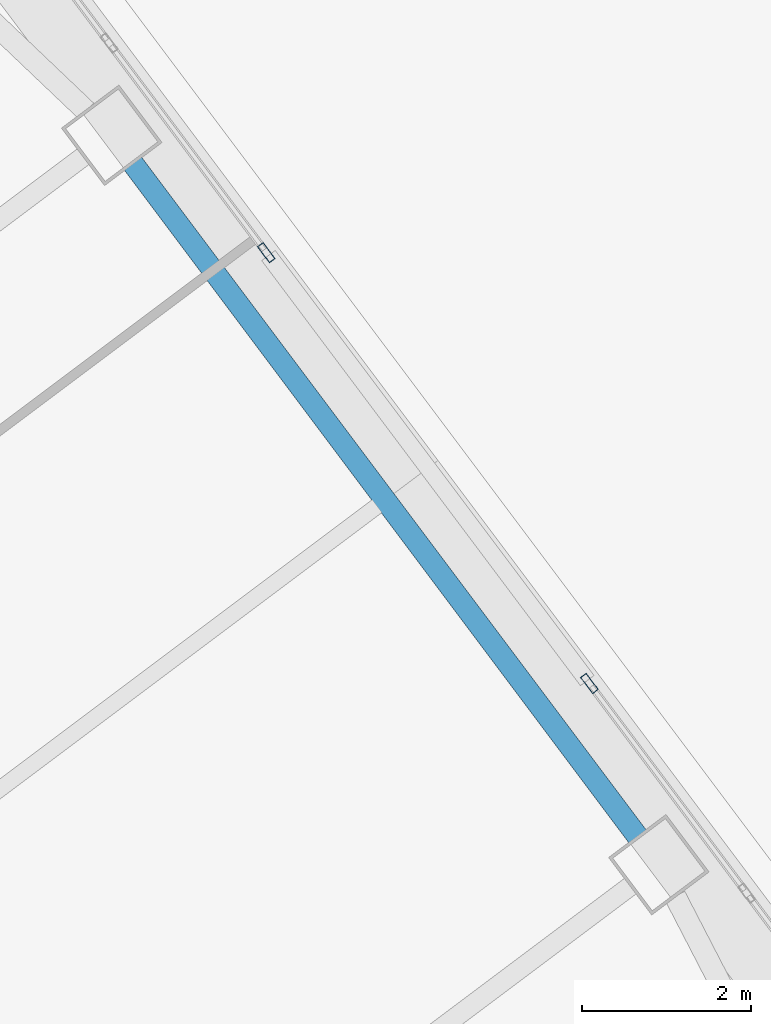
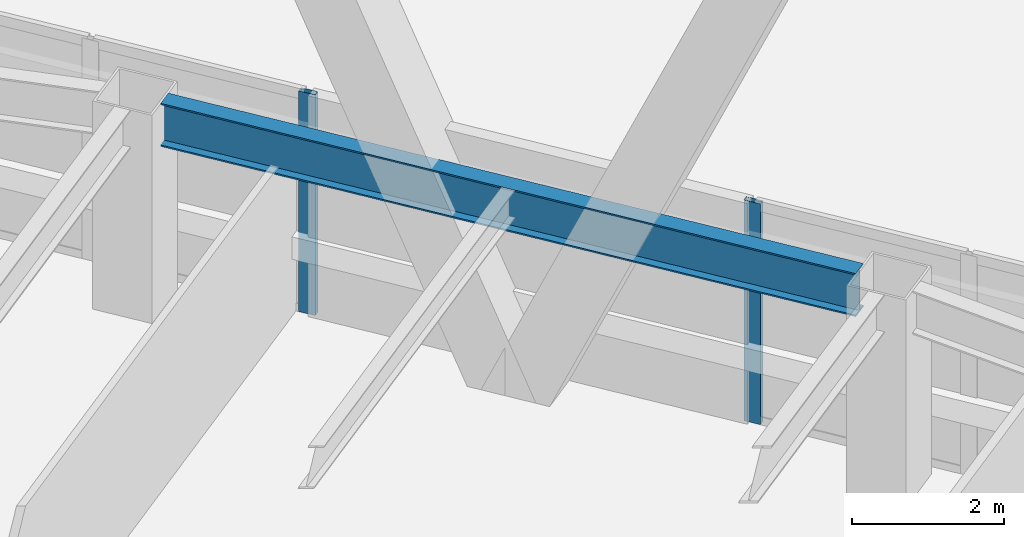
# One storey, part 65 of 83: 2 members, 1 beam, 2 elements without a shape of their own.
"""IFC4 building model written with IfcOpenShell, lengths in metres."""

import ifcopenshell
import ifcopenshell.guid

model = None  # the IFC model being written
_history = None  # IfcOwnerHistory: only IFC2X3 demands one
_inside = {}  # id of a spatial element -> (the spatial element, [elements in it])
_under = {}  # id of a project, library or spatial element -> (it, [spatial elements below it])
_declared = {}  # id of a project -> (the project, [libraries it declares])
_typed = {}  # id of a type object -> (the type object, [elements of that type])
_made_of = {}  # id of a material, layer set ... -> (it, [elements and type objects made of it])


def new_model(schema):
    """Start an empty IFC model of exactly this schema.

    Asked for "IFC4X3", IfcOpenShell would pick the latest addendum, in which some entities
    have other attributes; the version numbers below select the first issue.
    IFC2X3 requires an IfcOwnerHistory on every rooted entity: one is made here for all.
    """
    global model, _history
    if schema == "IFC4X3":
        model = ifcopenshell.file(schema_version=(4, 3, 0, 0))
    else:
        model = ifcopenshell.file(schema=schema)
    _inside.clear()
    _under.clear()
    _declared.clear()
    _typed.clear()
    _made_of.clear()
    _history = None
    if model.schema == "IFC2X3":
        org = make("IfcOrganization", Name="unknown")
        user = make(
            "IfcPersonAndOrganization",
            ThePerson=make("IfcPerson", FamilyName="unknown"),
            TheOrganization=org,
        )
        app = make(
            "IfcApplication",
            ApplicationDeveloper=org,
            Version="unknown",
            ApplicationFullName="unknown",
            ApplicationIdentifier="unknown",
        )
        _history = make(
            "IfcOwnerHistory",
            OwningUser=user,
            OwningApplication=app,
            ChangeAction="ADDED",
            CreationDate=0,
        )
    return model


def make(cls, **values):
    """One entity of the class cls with the attributes given. An attribute that is None is left unset."""
    return model.create_entity(
        cls, **{name: value for name, value in values.items() if value is not None}
    )


def rooted(cls, **values):
    """An entity with a GlobalId (a new one), such as an element, a storey or a relation."""
    return make(cls, GlobalId=ifcopenshell.guid.new(), OwnerHistory=_history, **values)


def si_unit(unit_type, name, prefix=None):
    """IfcSIUnit, for example si_unit("LENGTHUNIT", "METRE", prefix="MILLI")."""
    return make("IfcSIUnit", UnitType=unit_type, Prefix=prefix, Name=name)


def assignment(units):
    """IfcUnitAssignment: the units of a project."""
    return None if units is None else make("IfcUnitAssignment", Units=units)


def point(xyz):
    """IfcCartesianPoint."""
    return None if xyz is None else make("IfcCartesianPoint", Coordinates=xyz)


def direction(xyz):
    """IfcDirection."""
    return None if xyz is None else make("IfcDirection", DirectionRatios=xyz)


def frame(location, z_axis=None, x_axis=None):
    """IfcAxis2Placement3D, a coordinate frame: its origin and axes. An axis left out is left unset."""
    return make(
        "IfcAxis2Placement3D",
        Location=point(location),
        Axis=direction(z_axis),
        RefDirection=direction(x_axis),
    )


def frame_2d(location, x_axis=None):
    """IfcAxis2Placement2D, a coordinate frame in the plane: its origin and x axis."""
    return make(
        "IfcAxis2Placement2D", Location=point(location), RefDirection=direction(x_axis)
    )


def origin():
    """The frame at (0, 0, 0) with its axes left unset."""
    return frame((0.0, 0.0, 0.0))


def origin_2d():
    """The frame at (0, 0) in the plane with its x axis left unset."""
    return frame_2d((0.0, 0.0))


def place(relative_to, where):
    """IfcLocalPlacement: puts the frame where relative to a parent placement (None: the world)."""
    return make(
        "IfcLocalPlacement", PlacementRelTo=relative_to, RelativePlacement=where
    )


def context(
    kind, dimensions, precision=None, world=None, true_north=None, identifier=None
):
    """IfcGeometricRepresentationContext, for example the 3D "Model" context."""
    return make(
        "IfcGeometricRepresentationContext",
        ContextIdentifier=identifier,
        ContextType=kind,
        CoordinateSpaceDimension=dimensions,
        Precision=precision,
        WorldCoordinateSystem=world,
        TrueNorth=true_north,
    )


def subcontext(parent, identifier, kind, view, scale=None):
    """IfcGeometricRepresentationSubContext, for example "Body" below "Model"."""
    return make(
        "IfcGeometricRepresentationSubContext",
        ContextIdentifier=identifier,
        ContextType=kind,
        ParentContext=parent,
        TargetScale=scale,
        TargetView=view,
    )


def project(units=None, contexts=None):
    """IfcProject with its units and contexts."""
    return rooted(
        "IfcProject",
        Name="project",
        RepresentationContexts=contexts,
        UnitsInContext=assignment(units),
    )


def spatial(cls, under=None, at=None, **own):
    """A site, building, storey or space (cls), placed at a placement, below another one or the project."""
    s = rooted(cls, ObjectPlacement=at, **own)
    if under is not None:
        _under.setdefault(under.id(), (under, []))[1].append(s)
    return s


def profile(cls, at=None, kind="AREA", **sizes):
    """A parametric profile (cls). Its sizes go by their IFC names, for example OverallWidth=200.0."""
    return make(cls, ProfileType=kind, Position=at, **sizes)


def hollow_rectangle(**sizes):
    """IfcRectangleHollowProfileDef."""
    return profile("IfcRectangleHollowProfileDef", **sizes)


def i_section(**sizes):
    """IfcIShapeProfileDef."""
    return profile("IfcIShapeProfileDef", **sizes)


def extrude(swept, where, along, depth):
    """IfcExtrudedAreaSolid: the profile swept, set in the frame where, extruded along a direction by depth."""
    return make(
        "IfcExtrudedAreaSolid",
        SweptArea=swept,
        Position=where,
        ExtrudedDirection=direction(along),
        Depth=depth,
    )


def shape(context_of_items, identifier, shape_type, items):
    """IfcShapeRepresentation: the items that make up one representation, for example the "Body"."""
    return make(
        "IfcShapeRepresentation",
        ContextOfItems=context_of_items,
        RepresentationIdentifier=identifier,
        RepresentationType=shape_type,
        Items=items,
    )


def material(Name=None, Category=None):
    """IfcMaterial."""
    return make("IfcMaterial", Name=Name, Category=Category)


def material_profile(
    of_material, cross_section, Name=None, Category=None, Priority=None
):
    """IfcMaterialProfile: a cross section and its material."""
    return make(
        "IfcMaterialProfile",
        Name=Name,
        Material=of_material,
        Profile=cross_section,
        Priority=Priority,
        Category=Category,
    )


def profile_set(profiles, Name=None, composite=None):
    """IfcMaterialProfileSet."""
    return make(
        "IfcMaterialProfileSet",
        Name=Name,
        MaterialProfiles=profiles,
        CompositeProfile=composite,
    )


def made_of(thing, what):
    """Note that an element or type object is made of a material, layer set ...; save() writes the relation."""
    if what is not None:
        _made_of.setdefault(what.id(), (what, []))[1].append(thing)
    return thing


def type_object(cls, material=None, **own):
    """A type object (cls), such as IfcWallType, which elements share."""
    return made_of(rooted(cls, **own), material)


def element(
    cls,
    number,
    at=None,
    inside=None,
    cuts=None,
    type_object=None,
    material=None,
    context=None,
    identifier="Body",
    shape_type=None,
    held_by="IfcProductDefinitionShape",
    body=None,
    shapes=None,
    **own,
):
    """One element of the class cls, such as IfcWall. Its Tag is "e" and its number.

    at: its placement. inside: the storey or other place that contains it. cuts: it is an
    opening in that element (IfcRelVoidsElement). A single representation is given by context,
    identifier, shape_type and body (its items); several are given by shapes. held_by: the class
    of the entity that holds the representations. save() writes the other relations.
    """
    e = rooted(cls, Tag="e%d" % number, ObjectPlacement=at, **own)
    if body is not None:
        shapes = [shape(context, identifier, shape_type, body)]
    if shapes is not None:
        e.Representation = make(held_by, Representations=shapes)
    if inside is not None:
        _inside.setdefault(inside.id(), (inside, []))[1].append(e)
    if cuts is not None:
        rooted(
            "IfcRelVoidsElement", RelatingBuildingElement=cuts, RelatedOpeningElement=e
        )
    if type_object is not None:
        _typed.setdefault(type_object.id(), (type_object, []))[1].append(e)
    return made_of(e, material)


def aggregate(whole, parts):
    """IfcRelAggregates: a whole, such as a stair, and the parts it consists of."""
    return rooted("IfcRelAggregates", RelatingObject=whole, RelatedObjects=parts)


def save(model, path):
    """Write the relations noted so far, then the file.

    IfcRelAggregates (storeys below a building ...), IfcRelContainedInSpatialStructure (elements
    in a storey), IfcRelDefinesByType, IfcRelAssociatesMaterial and IfcRelDeclares: one each for
    every whole, place, type object, material and project.
    """
    for whole, parts in _under.values():
        aggregate(whole, parts)
    for where, things in _inside.values():
        rooted(
            "IfcRelContainedInSpatialStructure",
            RelatedElements=things,
            RelatingStructure=where,
        )
    for kind, things in _typed.values():
        rooted("IfcRelDefinesByType", RelatedObjects=things, RelatingType=kind)
    for what, things in _made_of.values():
        rooted("IfcRelAssociatesMaterial", RelatedObjects=things, RelatingMaterial=what)
    for by, libraries in _declared.values():
        rooted("IfcRelDeclares", RelatingContext=by, RelatedDefinitions=libraries)
    model.write(path)


model = new_model("IFC4")

# Units and contexts
model_context = context("Model", 3, precision=1e-05, world=origin(), true_north=direction((0.0, 1.0)))
body_context = subcontext(model_context, "Body", "Model", "MODEL_VIEW")
ifc_project = project(units=[si_unit("LENGTHUNIT", "METRE"), si_unit("AREAUNIT", "SQUARE_METRE"), si_unit("VOLUMEUNIT", "CUBIC_METRE"), si_unit("PLANEANGLEUNIT", "RADIAN"), si_unit("MASSUNIT", "GRAM", prefix="KILO")], contexts=[model_context])

# Site, building, storey
site_placement = place(None, origin())
site = spatial("IfcSite", under=ifc_project, at=site_placement, CompositionType="ELEMENT")
building_placement = place(site_placement, origin())
building = spatial("IfcBuilding", under=site, at=building_placement, Name="Tashvorn Skyway Center", CompositionType="ELEMENT")
storey_placement = place(building_placement, frame((0.0, 0.0, 24.60009765625)))
storey = spatial("IfcBuildingStorey", under=building, at=storey_placement, Name="L05", CompositionType="ELEMENT", Elevation=24.60009765625)

# Beam
ifc_material_1 = material(Name="Steel ASTM A992 Grade 50", Category="steel")
ifc_material_profile_1 = material_profile(ifc_material_1, i_section(OverallWidth=0.256103515625, OverallDepth=0.693115234375, WebThickness=0.014404296875, FlangeThickness=0.023681640625, at=origin_2d()), Name="W27X114")
ifc_profile_set_1 = profile_set([ifc_material_profile_1], Name="Steel ASTM A992 Grade 50")
beam_type = type_object("IfcBeamType", Name="BM-SPANDREL-W27X114", PredefinedType="SPANDREL", material=ifc_profile_set_1)
beam_placement = place(storey_placement, frame((133.827880859375, 40.64599609375, 3.00341796875), z_axis=(-0.599988234018, 0.800008824351, 0.0), x_axis=(-0.800008824351, -0.599988234018, 0.0)))
element("IfcBeam", 1, at=beam_placement, inside=storey, type_object=beam_type, Name="Tower 2 L05 Spandrel Beam 05", PredefinedType="SPANDREL", context=body_context, shape_type="SweptSolid", body=[
    extrude(i_section(OverallWidth=0.256103515625, OverallDepth=0.693115234375, WebThickness=0.014404296875, FlangeThickness=0.023681640625, at=origin_2d()), origin(), (0.0, 0.0, 1.0), 9.9599609375),
])

# Curtain wall, member
ifc_material_2 = material(Name="Thermally broken bronze-anodized aluminium 6063-T6", Category="aluminium")
curtain_wall_type = type_object("IfcCurtainWallType", Name="CW-CW-Z1", PredefinedType="NOTDEFINED", material=ifc_material_2)
curtain_wall_1_placement = place(storey_placement, origin())
curtain_wall_1 = element("IfcCurtainWall", 2, at=curtain_wall_1_placement, inside=storey, type_object=curtain_wall_type, Name="Tower 2 L05 East Unitised Curtain Wall Glazing Group 2", PredefinedType="NOTDEFINED")
ifc_material_profile_2 = material_profile(ifc_material_2, hollow_rectangle(XDim=0.0849609375, YDim=0.239990234375, WallThickness=0.0048828125, at=origin_2d()), Name="ALU-MULL-85x240")
ifc_profile_set_2 = profile_set([ifc_material_profile_2], Name="Thermally broken bronze-anodized aluminium 6063-T6")
member_type = type_object("IfcMemberType", Name="CWM-CW-Z1", PredefinedType="MULLION", material=ifc_profile_set_2)
member_1_placement = place(storey_placement, frame((129.430419921875, 47.559326171875, 0.0), z_axis=(0.0, 0.0, 1.0), x_axis=(0.800001906763, 0.599997457641, 0.0)))
member_1 = element("IfcMember", 3, at=member_1_placement, type_object=member_type, Name="CW-Z1 mullion 3", PredefinedType="MULLION", context=body_context, shape_type="SweptSolid", body=[
    extrude(hollow_rectangle(XDim=0.0849609375, YDim=0.239990234375, WallThickness=0.0048828125, at=origin_2d()), origin(), (0.0, 0.0, 1.0), 3.5498046875),
])
aggregate(curtain_wall_1, [member_1])

curtain_wall_2_placement = place(storey_placement, origin())
curtain_wall_2 = element("IfcCurtainWall", 4, at=curtain_wall_2_placement, inside=storey, type_object=curtain_wall_type, Name="Tower 2 L05 East Unitised Curtain Wall Glazing Group 3", PredefinedType="NOTDEFINED")
member_2_placement = place(storey_placement, frame((133.257568359375, 42.456787109375, 0.0), z_axis=(0.0, 0.0, 1.0), x_axis=(0.800001906763, 0.599997457641, 0.0)))
member_2 = element("IfcMember", 5, at=member_2_placement, type_object=member_type, Name="CW-Z1 mullion 1", PredefinedType="MULLION", context=body_context, shape_type="SweptSolid", body=[
    extrude(hollow_rectangle(XDim=0.0849609375, YDim=0.239990234375, WallThickness=0.0048828125, at=origin_2d()), origin(), (0.0, 0.0, 1.0), 3.5498046875),
])
aggregate(curtain_wall_2, [member_2])

save(model, "model.ifc")
